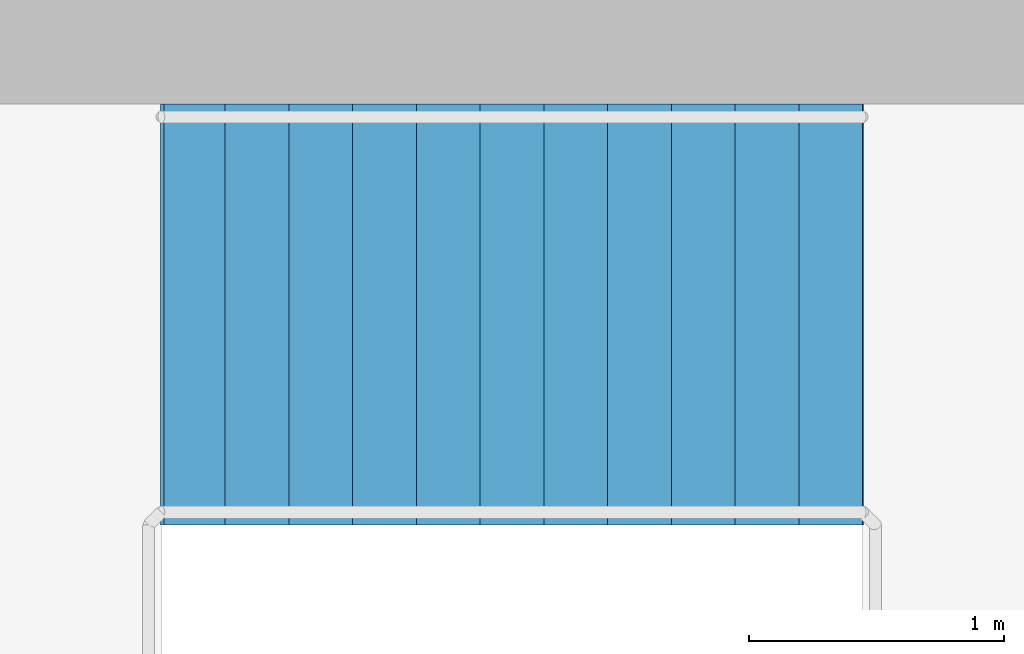
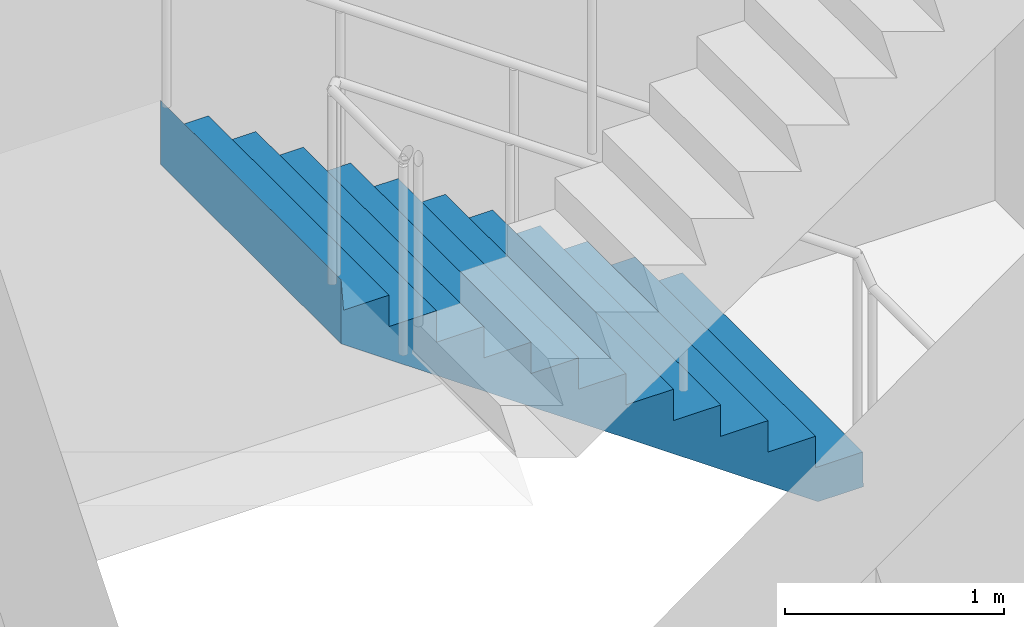
# One storey, part 21 of 22: 1 stair flight, 1 element without a shape of its own.
"""IFC4 building model written with IfcOpenShell, lengths in metres."""

from ifc_helpers import new_model, si_unit, direction, frame, origin, place, context, subcontext, project, spatial, triangles, material, type_object, element, aggregate, save


model = new_model("IFC4")

# Units and contexts
model_context = context("Model", 3, precision=1e-05, world=origin(), true_north=direction((0.0, 1.0)))
body_context = subcontext(model_context, "Body", "Model", "MODEL_VIEW")
ifc_project = project(units=[si_unit("LENGTHUNIT", "METRE"), si_unit("AREAUNIT", "SQUARE_METRE"), si_unit("VOLUMEUNIT", "CUBIC_METRE"), si_unit("PLANEANGLEUNIT", "RADIAN"), si_unit("MASSUNIT", "GRAM", prefix="KILO")], contexts=[model_context])

# Site, building, storey
site_placement = place(None, origin())
site = spatial("IfcSite", under=ifc_project, at=site_placement, CompositionType="ELEMENT")
building_placement = place(site_placement, origin())
building = spatial("IfcBuilding", under=site, at=building_placement, Name="Maasbend Ring Residences", CompositionType="ELEMENT")
storey_placement = place(building_placement, frame((0.0, 0.0, 208.5)))
storey = spatial("IfcBuildingStorey", under=building, at=storey_placement, Name="L60", CompositionType="ELEMENT", Elevation=208.5)

# Stair, stair flight
ifc_material_1 = material(Name="Concrete C40/50", Category="concrete")
stair_type = type_object("IfcStairType", Name="CORE STAIR 24 RISERS", PredefinedType="HALF_TURN_STAIR", material=ifc_material_1)
stair_placement = place(storey_placement, origin())
stair = element("IfcStair", 1, at=stair_placement, inside=storey, type_object=stair_type, Name="L60 Exit stair ST-E1", PredefinedType="HALF_TURN_STAIR")
ifc_material_2 = material(Name="Concrete C40/50", Category="concrete")
stair_flight_type = type_object("IfcStairFlightType", Name="CORE STAIR FLIGHT 1650", PredefinedType="STRAIGHT", material=ifc_material_2)
stair_flight_placement = place(storey_placement, frame((13.550048828125, 7.77490234375, 0.0), z_axis=(0.0, 0.0, 1.0), x_axis=(-1.0, 0.0, 0.0)))
stair_flight = element("IfcStairFlight", 2, at=stair_flight_placement, type_object=stair_flight_type, Name="ST-E1 flight 1", NumberOfRisers=12, NumberOfTreads=11, PredefinedType="STRAIGHT", RiserHeight=0.175, TreadLength=0.25, context=body_context, shape_type="Tessellation", body=[
    triangles([(0.23583984375, 0.824951171875, -0.02001953125), (2.7529296875, 0.824951171875, 1.741943359375), (2.7529296875, 0.824951171875, 2.10009765625), (2.739990234375, 0.824951171875, 1.925048828125), (2.5, 0.824951171875, 1.925048828125), (2.5, 0.824951171875, 1.75), (2.25, 0.824951171875, 1.75), (2.25, 0.824951171875, 1.574951171875), (2.0, 0.824951171875, 1.574951171875), (2.0, 0.824951171875, 1.39990234375), (1.75, 0.824951171875, 1.39990234375), (1.75, 0.824951171875, 1.22509765625), (1.5, 0.824951171875, 1.22509765625), (1.5, 0.824951171875, 1.050048828125), (1.25, 0.824951171875, 1.050048828125), (1.25, 0.824951171875, 0.875), (1.0, 0.824951171875, 0.875), (1.0, 0.824951171875, 0.699951171875), (0.75, 0.824951171875, 0.699951171875), (0.75, 0.824951171875, 0.52490234375), (0.5, 0.824951171875, 0.52490234375), (0.5, 0.824951171875, 0.35009765625), (0.25, 0.824951171875, 0.35009765625), (0.25, 0.824951171875, 0.175048828125), (0.0, 0.824951171875, 0.175048828125), (0.0, 0.824951171875, 0.0), (-0.0029296875, 0.824951171875, 0.0), (-0.0029296875, 0.824951171875, -0.02001953125), (0.23583984375, -0.824951171875, -0.02001953125), (2.7529296875, -0.824951171875, 1.741943359375), (2.7529296875, -0.824951171875, 2.10009765625), (2.739990234375, -0.824951171875, 1.925048828125), (2.5, -0.824951171875, 1.925048828125), (2.5, -0.824951171875, 1.75), (2.25, -0.824951171875, 1.75), (2.25, -0.824951171875, 1.574951171875), (2.0, -0.824951171875, 1.574951171875), (2.0, -0.824951171875, 1.39990234375), (1.75, -0.824951171875, 1.39990234375), (1.75, -0.824951171875, 1.22509765625), (1.5, -0.824951171875, 1.22509765625), (1.5, -0.824951171875, 1.050048828125), (1.25, -0.824951171875, 1.050048828125), (1.25, -0.824951171875, 0.875), (1.0, -0.824951171875, 0.875), (1.0, -0.824951171875, 0.699951171875), (0.75, -0.824951171875, 0.699951171875), (0.75, -0.824951171875, 0.52490234375), (0.5, -0.824951171875, 0.52490234375), (0.5, -0.824951171875, 0.35009765625), (0.25, -0.824951171875, 0.35009765625), (0.25, -0.824951171875, 0.175048828125), (0.0, -0.824951171875, 0.175048828125), (0.0, -0.824951171875, 0.0), (-0.0029296875, -0.824951171875, 0.0), (-0.0029296875, -0.824951171875, -0.02001953125)], [[1, 2, 30], [1, 30, 29], [2, 3, 31], [2, 31, 30], [3, 4, 32], [3, 32, 31], [4, 5, 33], [4, 33, 32], [5, 6, 34], [5, 34, 33], [6, 7, 35], [6, 35, 34], [7, 8, 36], [7, 36, 35], [8, 9, 37], [8, 37, 36], [9, 10, 38], [9, 38, 37], [10, 11, 39], [10, 39, 38], [11, 12, 40], [11, 40, 39], [12, 13, 41], [12, 41, 40], [13, 14, 42], [13, 42, 41], [14, 15, 43], [14, 43, 42], [15, 16, 44], [15, 44, 43], [16, 17, 45], [16, 45, 44], [17, 18, 46], [17, 46, 45], [18, 19, 47], [18, 47, 46], [19, 20, 48], [19, 48, 47], [20, 21, 49], [20, 49, 48], [21, 22, 50], [21, 50, 49], [22, 23, 51], [22, 51, 50], [23, 24, 52], [23, 52, 51], [24, 25, 53], [24, 53, 52], [25, 26, 54], [25, 54, 53], [26, 27, 55], [26, 55, 54], [27, 28, 56], [27, 56, 55], [28, 1, 29], [28, 29, 56], [28, 2, 1], [2, 4, 3], [2, 5, 4], [2, 6, 5], [28, 6, 2], [6, 8, 7], [28, 8, 6], [8, 10, 9], [28, 10, 8], [10, 12, 11], [28, 12, 10], [12, 14, 13], [28, 14, 12], [14, 16, 15], [28, 16, 14], [16, 18, 17], [28, 18, 16], [18, 20, 19], [28, 20, 18], [20, 22, 21], [28, 22, 20], [22, 24, 23], [28, 24, 22], [24, 26, 25], [28, 26, 24], [26, 28, 27], [56, 29, 30], [30, 31, 32], [30, 32, 33], [30, 33, 34], [56, 30, 34], [34, 35, 36], [56, 34, 36], [36, 37, 38], [56, 36, 38], [38, 39, 40], [56, 38, 40], [40, 41, 42], [56, 40, 42], [42, 43, 44], [56, 42, 44], [44, 45, 46], [56, 44, 46], [46, 47, 48], [56, 46, 48], [48, 49, 50], [56, 48, 50], [50, 51, 52], [56, 50, 52], [52, 53, 54], [56, 52, 54], [54, 55, 56]], closed=True),
])
aggregate(stair, [stair_flight])

save(model, "model.ifc")
